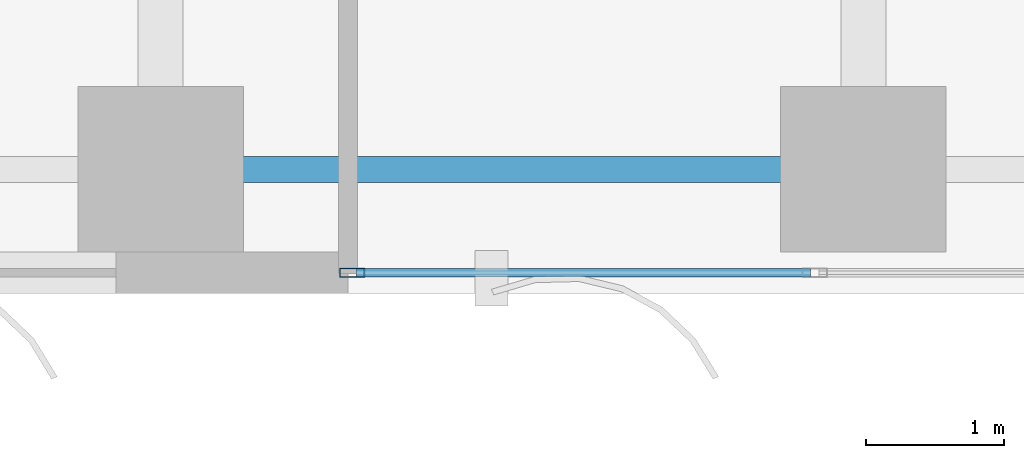
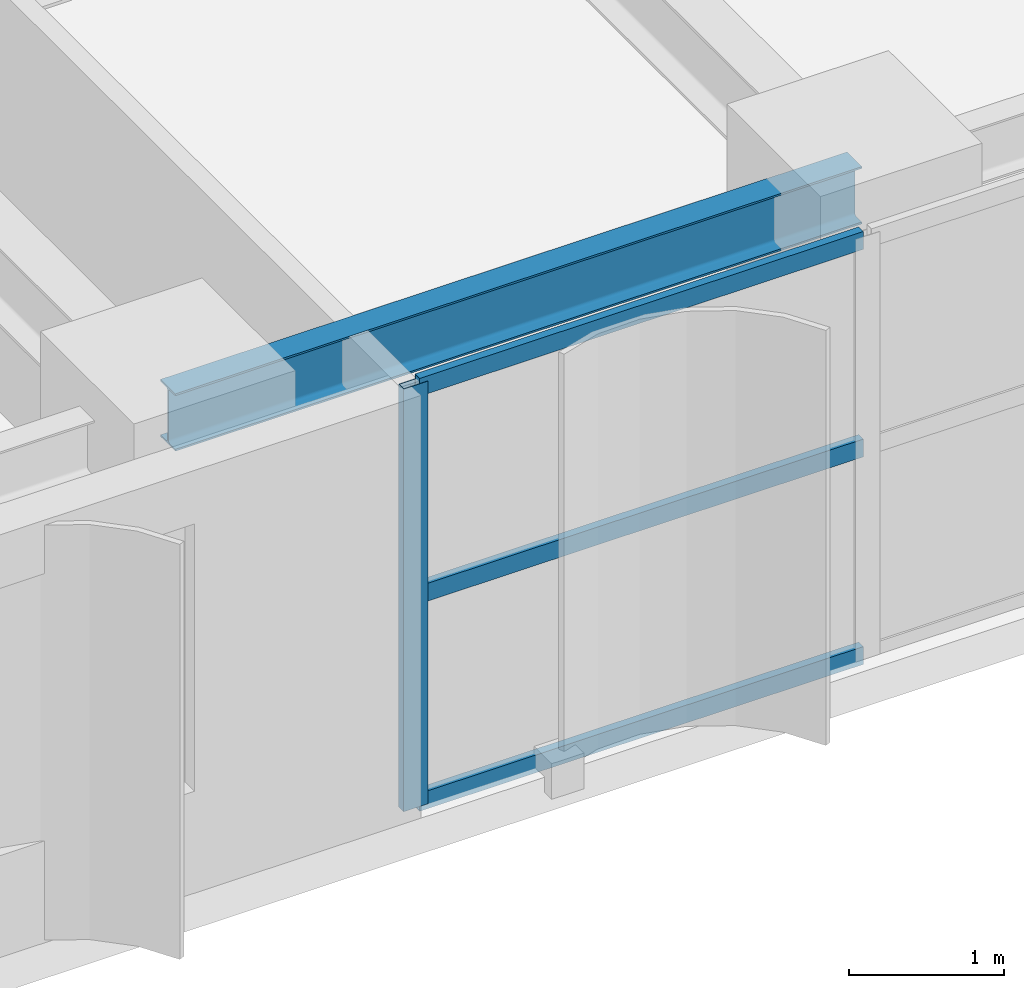
# One storey, part 2 of 25: 4 members, 1 beam, 1 element without a shape of its own.
"""IFC4 building model written with IfcOpenShell, lengths in metres."""

from ifc_helpers import new_model, si_unit, direction, frame, origin, origin_2d, place, context, subcontext, project, spatial, hollow_rectangle, i_section, extrude, source, transform, mapped, material, layer, layer_set, material_profile, profile_set, type_object, element, aggregate, save


model = new_model("IFC4")

# Units and contexts
model_context = context("Model", 3, precision=1e-05, world=origin(), true_north=direction((0.0, 1.0)))
body_context = subcontext(model_context, "Body", "Model", "MODEL_VIEW")
ifc_project = project(units=[si_unit("LENGTHUNIT", "METRE"), si_unit("AREAUNIT", "SQUARE_METRE"), si_unit("VOLUMEUNIT", "CUBIC_METRE"), si_unit("PLANEANGLEUNIT", "RADIAN"), si_unit("MASSUNIT", "GRAM", prefix="KILO")], contexts=[model_context])

# Site, building, storey
site_placement = place(None, origin())
site = spatial("IfcSite", under=ifc_project, at=site_placement, CompositionType="ELEMENT")
building_placement = place(site_placement, origin())
building = spatial("IfcBuilding", under=site, at=building_placement, Name="Khoralis Quay Care Tower", CompositionType="ELEMENT")
storey_placement = place(building_placement, frame((0.0, 0.0, 51.300048828125)))
storey = spatial("IfcBuildingStorey", under=building, at=storey_placement, Name="L13", CompositionType="ELEMENT", Elevation=51.300048828125)

# Beam
ifc_material_1 = material(Name="Steel S355", Category="steel")
ifc_material_profile_1 = material_profile(ifc_material_1, i_section(OverallWidth=0.18994140625, OverallDepth=0.449951171875, WebThickness=0.009521484375, FlangeThickness=0.0146484375, FilletRadius=0.02099609375, at=origin_2d()), Name="Steel S355")
ifc_profile_set_1 = profile_set([ifc_material_profile_1], Name="Steel S355")
beam_type = type_object("IfcBeamType", Name="BM-IPE450", PredefinedType="SPANDREL", material=ifc_profile_set_1)
shared_shape_1 = source(origin(), body_context, "Body", "SweptSolid", [
    extrude(i_section(OverallWidth=0.18994140625, OverallDepth=0.449951171875, WebThickness=0.009521484375, FlangeThickness=0.0146484375, FilletRadius=0.02099609375, at=origin_2d()), origin(), (0.0, 0.0, 1.0), 5.10009765625),
])
beam_placement = place(storey_placement, frame((12.0, 0.89990234375, 3.094970703125), z_axis=(1.0, 0.0, 0.0), x_axis=(0.0, 1.0, 0.0)))
element("IfcBeam", 1, at=beam_placement, inside=storey, type_object=beam_type, Name="BM-TSP-L13-02", PredefinedType="SPANDREL", context=body_context, shape_type="MappedRepresentation", body=[
    mapped(shared_shape_1, transform((0.0, 0.0, 0.0), scale=1.0)),
])

# Curtain wall, members
ifc_material_2 = material(Name="Pale anodised aluminium", Category="aluminium")
ifc_layer = layer(ifc_material_2, 0.179931640625)
ifc_layer_set = layer_set([ifc_layer], Name="Pale anodised aluminium")
curtain_wall_type = type_object("IfcCurtainWallType", Name="CW-SYS-Z1", PredefinedType="NOTDEFINED", material=ifc_layer_set)
curtain_wall_placement = place(storey_placement, origin())
curtain_wall = element("IfcCurtainWall", 2, at=curtain_wall_placement, inside=storey, type_object=curtain_wall_type, Name="L13 Unitised Curtain Wall CW-L13-P1-E0", PredefinedType="NOTDEFINED")
ifc_material_profile_2 = material_profile(ifc_material_2, hollow_rectangle(XDim=0.06494140625, YDim=0.179931640625, WallThickness=0.00390625, at=origin_2d()), Name="Pale anodised aluminium")
ifc_profile_set_2 = profile_set([ifc_material_profile_2], Name="Pale anodised aluminium")
member_type_1 = type_object("IfcMemberType", Name="CW-MUL-180", PredefinedType="MULLION", material=ifc_profile_set_2)
shared_shape_2 = source(origin(), body_context, "Body", "SweptSolid", [
    extrude(hollow_rectangle(XDim=0.06494140625, YDim=0.179931640625, WallThickness=0.00390625, at=origin_2d()), origin(), (0.0, 0.0, 1.0), 3.320068359375),
])
member_1_placement = place(storey_placement, frame((13.389892578125, 0.14990234375, 0.0), z_axis=(0.0, 0.0, 1.0), x_axis=(0.0, 1.0, 0.0)))
member_1 = element("IfcMember", 3, at=member_1_placement, type_object=member_type_1, Name="CW1 mullion 1", PredefinedType="MULLION", context=body_context, shape_type="MappedRepresentation", body=[
    mapped(shared_shape_2, transform((0.0, 0.0, 0.0), scale=1.0)),
])
ifc_material_profile_3 = material_profile(ifc_material_2, hollow_rectangle(XDim=0.06005859375, YDim=0.139892578125, WallThickness=0.00390625, at=origin_2d()), Name="Pale anodised aluminium")
ifc_profile_set_3 = profile_set([ifc_material_profile_3], Name="Pale anodised aluminium")
member_type_2 = type_object("IfcMemberType", Name="CW-TRN-140", PredefinedType="USERDEFINED", material=ifc_profile_set_3)
shared_shape_3 = source(origin(), body_context, "Body", "SweptSolid", [
    extrude(hollow_rectangle(XDim=0.06005859375, YDim=0.139892578125, WallThickness=0.00390625, at=origin_2d()), origin(), (0.0, 0.0, 1.0), 3.296630859375),
])
member_2_placement = place(storey_placement, frame((13.419921875, 0.14990234375, 0.030029296875), z_axis=(1.0, 0.0, 0.0), x_axis=(0.0, 1.0, 0.0)))
member_2 = element("IfcMember", 4, at=member_2_placement, type_object=member_type_2, Name="CW1 transom 1.1", ObjectType="TRANSOM", PredefinedType="USERDEFINED", context=body_context, shape_type="MappedRepresentation", body=[
    mapped(shared_shape_3, transform((0.0, 0.0, 0.0), scale=1.0)),
])
member_3_placement = place(storey_placement, frame((13.419921875, 0.14990234375, 1.659912109375), z_axis=(1.0, 0.0, 0.0), x_axis=(0.0, 1.0, 0.0)))
member_3 = element("IfcMember", 5, at=member_3_placement, type_object=member_type_2, Name="CW1 transom 1.2", ObjectType="TRANSOM", PredefinedType="USERDEFINED", context=body_context, shape_type="MappedRepresentation", body=[
    mapped(shared_shape_3, transform((0.0, 0.0, 0.0), scale=1.0)),
])
member_4_placement = place(storey_placement, frame((13.419921875, 0.14990234375, 3.2900390625), z_axis=(1.0, 0.0, 0.0), x_axis=(0.0, 1.0, 0.0)))
member_4 = element("IfcMember", 6, at=member_4_placement, type_object=member_type_2, Name="CW1 transom 1.3", ObjectType="TRANSOM", PredefinedType="USERDEFINED", context=body_context, shape_type="MappedRepresentation", body=[
    mapped(shared_shape_3, transform((0.0, 0.0, 0.0), scale=1.0)),
])
aggregate(curtain_wall, [member_1, member_2, member_3, member_4])

save(model, "model.ifc")
